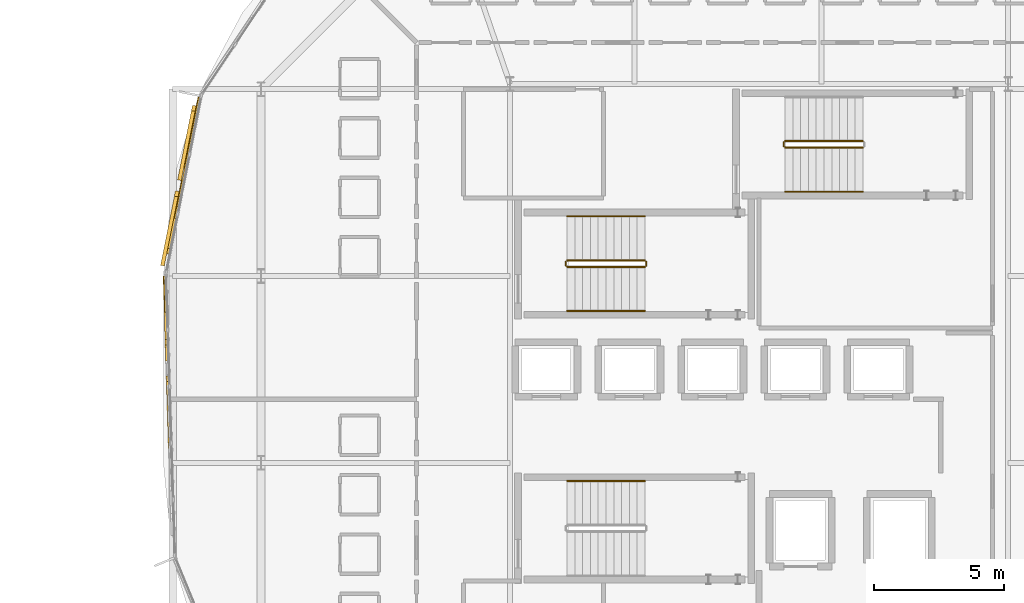
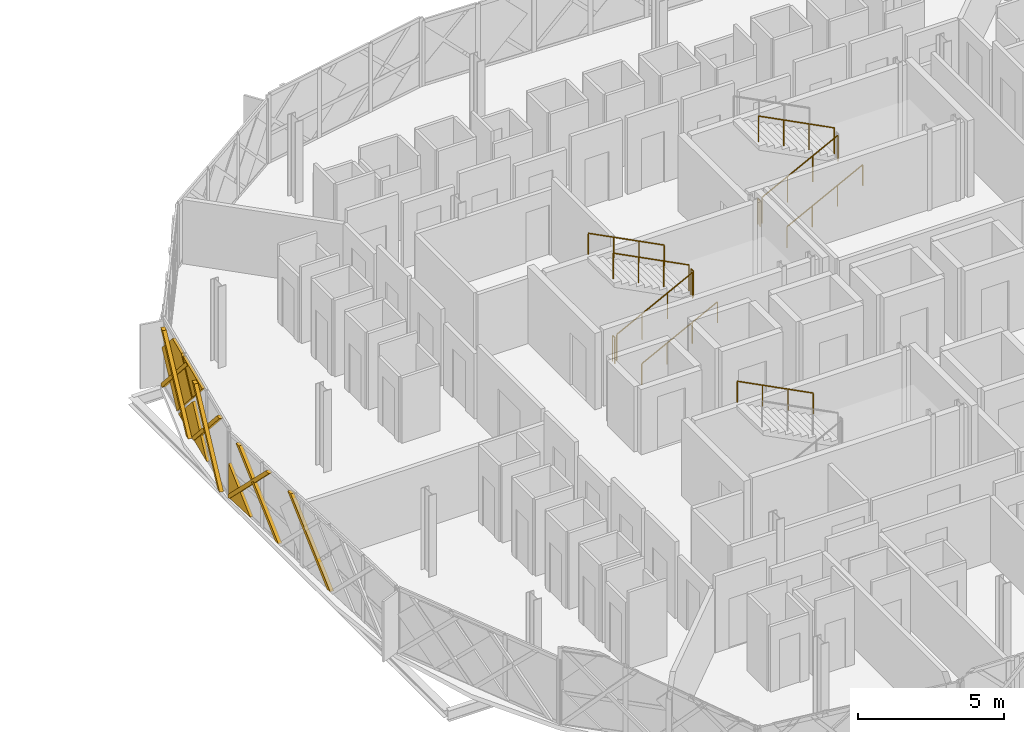
# One storey, part 47 of 50: 11 coverings, 11 railings.
"""IFC4 building model written with IfcOpenShell, lengths in metres."""

from ifc_helpers import new_model, si_unit, direction, frame, origin, origin_2d, place, context, subcontext, project, spatial, polyline, circle, outline, extrude, material, layer, layer_set, type_object, element, save


model = new_model("IFC4")

# Units and contexts
model_context = context("Model", 3, precision=1e-05, world=origin(), true_north=direction((0.0, 1.0)))
body_context = subcontext(model_context, "Body", "Model", "MODEL_VIEW")
ifc_project = project(units=[si_unit("LENGTHUNIT", "METRE"), si_unit("AREAUNIT", "SQUARE_METRE"), si_unit("VOLUMEUNIT", "CUBIC_METRE"), si_unit("PLANEANGLEUNIT", "RADIAN"), si_unit("MASSUNIT", "GRAM", prefix="KILO")], contexts=[model_context])

# Site, building, storey
site_placement = place(None, origin())
site = spatial("IfcSite", under=ifc_project, at=site_placement, CompositionType="ELEMENT")
building_placement = place(site_placement, origin())
building = spatial("IfcBuilding", under=site, at=building_placement, Name="Zevrakil Square Congress Hotel", CompositionType="ELEMENT")
storey_placement = place(building_placement, frame((0.0, 0.0, 21.5)))
storey = spatial("IfcBuildingStorey", under=building, at=storey_placement, Name="L06", CompositionType="ELEMENT", Elevation=21.5)

# Coverings
ifc_material_1 = material(Name="Architectural White Fibre-C GRC", Category="concrete")
ifc_layer_1 = layer(ifc_material_1, 0.06494140625)
ifc_layer_set_1 = layer_set([ifc_layer_1], Name="Architectural White Fibre-C GRC")
covering_type_1 = type_object("IfcCoveringType", Name="COV-DIA-WHITE", PredefinedType="CLADDING", material=ifc_layer_set_1)
covering_1_placement = place(storey_placement, frame((124.158935546875, 34.89892578125, 1.590087890625), z_axis=(-0.980788280172, 0.195074358725, 0.000586553491), x_axis=(-0.138339886369, -0.693414389116, -0.707134047268)))
element("IfcCovering", 1, at=covering_1_placement, inside=storey, type_object=covering_type_1, Name="L06 45-degree white GRC diamond facade cassette 2578", PredefinedType="CLADDING", context=body_context, shape_type="SweptSolid", body=[
    extrude(outline(polyline([(0.0, 0.0), (2.135393948938125, -2.220446049250313e-16), (6.252448376709019e-05, -2.1354968457710672), (0.0, 0.0)])), origin(), (0.0, 0.0, -1.0), 0.1201171875),
])
covering_2_placement = place(storey_placement, frame((124.176513671875, 34.9873046875, 1.679931640625), z_axis=(-0.980787541825, 0.195078034724, 0.000598472805), x_axis=(0.137530592116, 0.693627355482, -0.707083041771)))
element("IfcCovering", 2, at=covering_2_placement, inside=storey, type_object=covering_type_1, Name="L06 45-degree white GRC diamond facade cassette 2579", PredefinedType="CLADDING", context=body_context, shape_type="SweptSolid", body=[
    extrude(outline(polyline([(0.0, 0.0), (2.2484539978122022, 0.0), (2.248705997705661, -2.234400353025926), (2.2345505266545884, -2.248556769494939), (0.6646624309977924, -2.248650411844412), (8.532321482013216e-06, -1.5840409101473396), (0.0, 0.0)])), origin(), (0.0, 0.0, -1.0), 0.1201171875),
])
covering_3_placement = place(storey_placement, frame((124.1591796875, 34.89892578125, 1.77001953125), z_axis=(-0.98078968103, 0.195067643182, 0.000464939408), x_axis=(0.138263265234, 0.693495020046, 0.707069958815)))
element("IfcCovering", 3, at=covering_3_placement, inside=storey, type_object=covering_type_1, Name="L06 45-degree white GRC diamond facade cassette 2580", PredefinedType="CLADDING", context=body_context, shape_type="SweptSolid", body=[
    extrude(outline(polyline([(0.0, 0.0), (1.4567572614764757, 0.0), (-1.669371810353315e-05, -1.4566225597609561), (0.0, 0.0)])), origin(), (0.0, 0.0, -1.0), 0.1201171875),
])
covering_4_placement = place(storey_placement, frame((123.492919921875, 29.792724609375, 0.080078125), z_axis=(-0.99949753867, -0.031688851278, 0.000697779914), x_axis=(-0.031688858993, 0.999497781996, 0.0)))
element("IfcCovering", 4, at=covering_4_placement, inside=storey, type_object=covering_type_1, Name="L06 45-degree white GRC diamond facade cassette 2585", PredefinedType="CLADDING", context=body_context, shape_type="SweptSolid", body=[
    extrude(outline(polyline([(0.0, 0.0), (1.4098877585153653, 0.0), (1.410100830377188, -1.409912452615979), (0.0, 0.0)])), origin(), (0.0, 0.0, -1.0), 0.1201171875),
])
ifc_material_2 = material(Name="Anodised Champagne Aluminium", Category="aluminium")
ifc_layer_2 = layer(ifc_material_2, 0.0849609375)
ifc_layer_set_2 = layer_set([ifc_layer_2], Name="Anodised Champagne Aluminium")
covering_type_2 = type_object("IfcCoveringType", Name="COV-DIAGRID-45", PredefinedType="MOLDING", material=ifc_layer_set_2)
covering_5_placement = place(storey_placement, frame((124.752685546875, 38.01708984375, 0.080078125), z_axis=(-0.980698170069, 0.195524935379, 0.00104826919), x_axis=(0.195525043457, 0.980698708769, 6.31857e-07)))
element("IfcCovering", 5, at=covering_5_placement, inside=storey, type_object=covering_type_2, Name="L06 45-degree aluminium diagrid rib 2581", PredefinedType="MOLDING", context=body_context, shape_type="SweptSolid", body=[
    extrude(outline(polyline([(0.0, 0.0), (0.08589655335052729, -3.3881317890172014e-21), (0.08589663294964113, -0.12597649328413066), (-2.5080462305988624, -2.7199738262558326), (-2.7199148484089006, -2.7199738764468826), (0.0, 0.0)])), origin(), (0.0, 0.0, -1.0), 0.14501953125),
])
covering_6_placement = place(storey_placement, frame((124.097412109375, 34.7216796875, 0.080078125), z_axis=(-0.980801191654, 0.195009738399, 0.00047368667), x_axis=(0.195009760178, 0.98080130171, -2.14264e-07)))
element("IfcCovering", 6, at=covering_6_placement, inside=storey, type_object=covering_type_2, Name="L06 45-degree aluminium diagrid rib 2582", PredefinedType="MOLDING", context=body_context, shape_type="SweptSolid", body=[
    extrude(outline(polyline([(0.0, 0.0), (0.21206039026530105, 3.3881317890172014e-21), (-2.507857862298729, -2.7199704709339345), (-2.7202053158115613, -2.7199703799986534), (0.0, 0.0)])), origin(), (0.0, 0.0, -1.0), 0.14501953125),
])
for number, where, z_axis, x_axis, name in (
    (7, (124.7021484375, 37.75390625, 2.800048828125), (0.980669115747, -0.195673415114, 6.198834e-06), (-0.195673415118, -0.980669115765, 0.0), "L06 45-degree aluminium diagrid rib 2583"),
    (8, (124.046630859375, 34.45849609375, 2.800048828125), (0.980669115747, -0.195673415114, 6.198834e-06), (-0.195673415118, -0.980669115765, 0.0), "L06 45-degree aluminium diagrid rib 2584"),
):
    element("IfcCovering", number, at=place(storey_placement, frame(where, z_axis=z_axis, x_axis=x_axis)), inside=storey, type_object=covering_type_2, Name=name, PredefinedType="MOLDING", context=body_context, shape_type="SweptSolid", body=[
        extrude(outline(polyline([(0.0, 0.0), (0.21210804863334146, 0.0), (2.932166350344723, 2.719970703177258), (2.7200583017113815, 2.719970703177258), (0.0, 0.0)])), origin(), (0.0, 0.0, -1.0), 0.14501953125),
    ])
covering_7_placement = place(storey_placement, frame((123.426025390625, 31.115234375, 0.080078125), z_axis=(-0.999488065977, -0.031993330188, 0.000181086157), x_axis=(-0.031993330685, 0.999488082366, 1.53452e-07)))
element("IfcCovering", 9, at=covering_7_placement, inside=storey, type_object=covering_type_2, Name="L06 45-degree aluminium diagrid rib 2589", PredefinedType="MOLDING", context=body_context, shape_type="SweptSolid", body=[
    extrude(outline(polyline([(0.0, 0.0), (0.08622344231267866, 0.0), (0.08622346164405592, -0.12597656043447444), (-2.357911809004987, -2.5698246272681216), (-2.5699360933684794, -2.5698246693290905), (0.0, 0.0)])), origin(), (0.0, 0.0, -1.0), 0.14501953125),
])
covering_8_placement = place(storey_placement, frame((123.440673828125, 30.697509765625, 2.64990234375), z_axis=(-0.999498879596, -0.03164792077, 0.000631504294), x_axis=(0.031647927317, -0.999499078887, 3.74905e-07)))
element("IfcCovering", 10, at=covering_8_placement, inside=storey, type_object=covering_type_2, Name="L06 45-degree aluminium diagrid rib 2592", PredefinedType="MOLDING", context=body_context, shape_type="SweptSolid", body=[
    extrude(outline(polyline([(0.0, 0.0), (0.21202425352514195, 8.470329472543003e-22), (2.782103009898634, -2.569825774195039), (2.569842464588441, -2.569825615128483), (0.0, 0.0)])), origin(), (0.0, 0.0, -1.0), 0.14501953125),
])
covering_9_placement = place(storey_placement, frame((123.546875, 27.33935546875, 2.64990234375), z_axis=(-0.999498879596, -0.03164792077, 0.000631504294), x_axis=(0.031647927303, -0.999499078888, 3.51487e-07)))
element("IfcCovering", 11, at=covering_9_placement, inside=storey, type_object=covering_type_2, Name="L06 45-degree aluminium diagrid rib 2593", PredefinedType="MOLDING", context=body_context, shape_type="SweptSolid", body=[
    extrude(outline(polyline([(0.0, 0.0), (0.21226827185494845, 8.470329472543003e-22), (2.782103070077985, -2.569825709044648), (2.5700865430975943, -2.5698255599138564), (0.0, 0.0)])), origin(), (0.0, 0.0, -1.0), 0.14501953125),
])

# Railings
ifc_material_3 = material(Name="Steel S355", Category="steel")
railing_type_1 = type_object("IfcRailingType", Name="RLG-STAIR-GUARD-1100", PredefinedType="BALUSTRADE", material=ifc_material_3)
railing_1_placement = place(storey_placement, frame((139.0, 31.550048828125, 0.154541015625)))
element("IfcRailing", 12, at=railing_1_placement, inside=storey, type_object=railing_type_1, Name="L06 ST02 stair guard 1", PredefinedType="BALUSTRADE", context=body_context, shape_type="SweptSolid", body=[
    extrude(circle(Radius=0.02392578125, at=origin_2d()), frame((0.0, 0.0, 1.076171875), z_axis=(0.888979911393, 0.0, 0.45794619459), x_axis=(0.0, 1.0, 0.0)), (0.0, 0.0, 1.0), 3.374755859375),
    extrude(circle(Radius=0.02099609375, at=origin_2d()), origin(), (0.0, 0.0, 1.0), 1.052001953125),
    extrude(circle(Radius=0.02099609375, at=origin_2d()), frame((1.0, 0.0, 0.51513671875)), (0.0, 0.0, 1.0), 1.052001953125),
    extrude(circle(Radius=0.02099609375, at=origin_2d()), frame((2.0, 0.0, 1.0302734375)), (0.0, 0.0, 1.0), 1.052001953125),
    extrude(circle(Radius=0.02099609375, at=origin_2d()), frame((3.0, 0.0, 1.54541015625)), (0.0, 0.0, 1.0), 1.052001953125),
])
railing_2_placement = place(storey_placement, frame((142.050048828125, 31.60009765625, 1.699951171875)))
element("IfcRailing", 13, at=railing_2_placement, inside=storey, type_object=railing_type_1, Name="L06 ST02 stair guard 2", PredefinedType="BALUSTRADE", context=body_context, shape_type="SweptSolid", body=[
    extrude(circle(Radius=0.02392578125, at=origin_2d()), frame((0.0, 0.0, 1.076171875), z_axis=(0.0, 1.0, 0.0), x_axis=(-1.0, 0.0, 0.0)), (0.0, 0.0, 1.0), 0.14990234375),
    extrude(circle(Radius=0.02099609375, at=origin_2d()), origin(), (0.0, 0.0, 1.0), 1.052001953125),
    extrude(circle(Radius=0.02099609375, at=origin_2d()), frame((0.0, 0.14990234375, 0.0)), (0.0, 0.0, 1.0), 1.052001953125),
])
railing_3_placement = place(storey_placement, frame((142.0, 31.800048828125, 1.8544921875)))
element("IfcRailing", 14, at=railing_3_placement, inside=storey, type_object=railing_type_1, Name="L06 ST02 stair guard 3", PredefinedType="BALUSTRADE", context=body_context, shape_type="SweptSolid", body=[
    extrude(circle(Radius=0.02392578125, at=origin_2d()), frame((0.0, 0.0, 1.076171875), z_axis=(-0.888979911393, 0.0, 0.45794619459), x_axis=(0.0, -1.0, 0.0)), (0.0, 0.0, 1.0), 3.374755859375),
    extrude(circle(Radius=0.02099609375, at=origin_2d()), origin(), (0.0, 0.0, 1.0), 1.052001953125),
    extrude(circle(Radius=0.02099609375, at=origin_2d()), frame((-1.0, 0.0, 0.51513671875)), (0.0, 0.0, 1.0), 1.052001953125),
    extrude(circle(Radius=0.02099609375, at=origin_2d()), frame((-2.0, 0.0, 1.0302734375)), (0.0, 0.0, 1.0), 1.052001953125),
    extrude(circle(Radius=0.02099609375, at=origin_2d()), frame((-3.0, 0.0, 1.54541015625)), (0.0, 0.0, 1.0), 1.052001953125),
])
railing_4_placement = place(storey_placement, frame((138.949951171875, 31.60009765625, 0.0)))
element("IfcRailing", 15, at=railing_4_placement, inside=storey, type_object=railing_type_1, Name="L06 ST02 stair guard 4", PredefinedType="BALUSTRADE", context=body_context, shape_type="SweptSolid", body=[
    extrude(circle(Radius=0.02392578125, at=origin_2d()), frame((0.0, 0.0, 1.076171875), z_axis=(0.0, 1.0, 0.0), x_axis=(-1.0, 0.0, 0.0)), (0.0, 0.0, 1.0), 0.14990234375),
    extrude(circle(Radius=0.02099609375, at=origin_2d()), origin(), (0.0, 0.0, 1.0), 1.052001953125),
    extrude(circle(Radius=0.02099609375, at=origin_2d()), frame((0.0, 0.14990234375, 0.0)), (0.0, 0.0, 1.0), 1.052001953125),
])
railing_5_placement = place(storey_placement, frame((147.39990234375, 36.14990234375, 0.154541015625)))
element("IfcRailing", 16, at=railing_5_placement, inside=storey, type_object=railing_type_1, Name="L06 ST03 stair guard 1", PredefinedType="BALUSTRADE", context=body_context, shape_type="SweptSolid", body=[
    extrude(circle(Radius=0.02392578125, at=origin_2d()), frame((0.0, 0.0, 1.076171875), z_axis=(0.888979911393, 0.0, 0.45794619459), x_axis=(0.0, 1.0, 0.0)), (0.0, 0.0, 1.0), 3.374755859375),
    extrude(circle(Radius=0.02099609375, at=origin_2d()), origin(), (0.0, 0.0, 1.0), 1.052001953125),
    extrude(circle(Radius=0.02099609375, at=origin_2d()), frame((1.0, 0.0, 0.51513671875)), (0.0, 0.0, 1.0), 1.052001953125),
    extrude(circle(Radius=0.02099609375, at=origin_2d()), frame((2.0, 0.0, 1.0302734375)), (0.0, 0.0, 1.0), 1.052001953125),
    extrude(circle(Radius=0.02099609375, at=origin_2d()), frame((3.0, 0.0, 1.54541015625)), (0.0, 0.0, 1.0), 1.052001953125),
])
railing_6_placement = place(storey_placement, frame((150.39990234375, 36.39990234375, 1.8544921875)))
element("IfcRailing", 17, at=railing_6_placement, inside=storey, type_object=railing_type_1, Name="L06 ST03 stair guard 3", PredefinedType="BALUSTRADE", context=body_context, shape_type="SweptSolid", body=[
    extrude(circle(Radius=0.02392578125, at=origin_2d()), frame((0.0, 0.0, 1.076171875), z_axis=(-0.888979911393, 0.0, 0.45794619459), x_axis=(0.0, -1.0, 0.0)), (0.0, 0.0, 1.0), 3.374755859375),
    extrude(circle(Radius=0.02099609375, at=origin_2d()), origin(), (0.0, 0.0, 1.0), 1.052001953125),
    extrude(circle(Radius=0.02099609375, at=origin_2d()), frame((-1.0, 0.0, 0.51513671875)), (0.0, 0.0, 1.0), 1.052001953125),
    extrude(circle(Radius=0.02099609375, at=origin_2d()), frame((-2.0, 0.0, 1.0302734375)), (0.0, 0.0, 1.0), 1.052001953125),
    extrude(circle(Radius=0.02099609375, at=origin_2d()), frame((-3.0, 0.0, 1.54541015625)), (0.0, 0.0, 1.0), 1.052001953125),
])
railing_7_placement = place(storey_placement, frame((147.35009765625, 36.199951171875, 0.0)))
element("IfcRailing", 18, at=railing_7_placement, inside=storey, type_object=railing_type_1, Name="L06 ST03 stair guard 4", PredefinedType="BALUSTRADE", context=body_context, shape_type="SweptSolid", body=[
    extrude(circle(Radius=0.02392578125, at=origin_2d()), frame((0.0, 0.0, 1.076171875), z_axis=(0.0, 1.0, 0.0), x_axis=(-1.0, 0.0, 0.0)), (0.0, 0.0, 1.0), 0.150146484375),
    extrude(circle(Radius=0.02099609375, at=origin_2d()), origin(), (0.0, 0.0, 1.0), 1.052001953125),
    extrude(circle(Radius=0.02099609375, at=origin_2d()), frame((0.0, 0.150146484375, 0.0)), (0.0, 0.0, 1.0), 1.052001953125),
])
ifc_material_4 = material(Name="Steel S355", Category="steel")
railing_type_2 = type_object("IfcRailingType", Name="RLG-STAIR-HAND-900", PredefinedType="HANDRAIL", material=ifc_material_4)
railing_8_placement = place(storey_placement, frame((142.0, 23.300048828125, 1.8544921875)))
element("IfcRailing", 19, at=railing_8_placement, inside=storey, type_object=railing_type_2, Name="L06 ST01 stair handrail 2", PredefinedType="HANDRAIL", context=body_context, shape_type="SweptSolid", body=[
    extrude(circle(Radius=0.02392578125, at=origin_2d()), frame((0.0, 0.0, 0.8759765625), z_axis=(-0.888979911393, 0.0, 0.45794619459), x_axis=(0.0, -1.0, 0.0)), (0.0, 0.0, 1.0), 3.374755859375),
    extrude(circle(Radius=0.02099609375, at=origin_2d()), origin(), (0.0, 0.0, 1.0), 0.851806640625),
    extrude(circle(Radius=0.02099609375, at=origin_2d()), frame((-1.0, 0.0, 0.51513671875)), (0.0, 0.0, 1.0), 0.851806640625),
    extrude(circle(Radius=0.02099609375, at=origin_2d()), frame((-2.0, 0.0, 1.0302734375)), (0.0, 0.0, 1.0), 0.851806640625),
    extrude(circle(Radius=0.02099609375, at=origin_2d()), frame((-3.0, 0.0, 1.54541015625)), (0.0, 0.0, 1.0), 0.851806640625),
])
railing_9_placement = place(storey_placement, frame((139.0, 29.85009765625, 0.154541015625)))
element("IfcRailing", 20, at=railing_9_placement, inside=storey, type_object=railing_type_2, Name="L06 ST02 stair handrail 1", PredefinedType="HANDRAIL", context=body_context, shape_type="SweptSolid", body=[
    extrude(circle(Radius=0.02392578125, at=origin_2d()), frame((0.0, 0.0, 0.8759765625), z_axis=(0.888979911393, 0.0, 0.45794619459), x_axis=(0.0, 1.0, 0.0)), (0.0, 0.0, 1.0), 3.374755859375),
    extrude(circle(Radius=0.02099609375, at=origin_2d()), origin(), (0.0, 0.0, 1.0), 0.851806640625),
    extrude(circle(Radius=0.02099609375, at=origin_2d()), frame((1.0, 0.0, 0.51513671875)), (0.0, 0.0, 1.0), 0.851806640625),
    extrude(circle(Radius=0.02099609375, at=origin_2d()), frame((2.0, 0.0, 1.0302734375)), (0.0, 0.0, 1.0), 0.851806640625),
    extrude(circle(Radius=0.02099609375, at=origin_2d()), frame((3.0, 0.0, 1.54541015625)), (0.0, 0.0, 1.0), 0.851806640625),
])
railing_10_placement = place(storey_placement, frame((142.0, 33.5, 1.8544921875)))
element("IfcRailing", 21, at=railing_10_placement, inside=storey, type_object=railing_type_2, Name="L06 ST02 stair handrail 2", PredefinedType="HANDRAIL", context=body_context, shape_type="SweptSolid", body=[
    extrude(circle(Radius=0.02392578125, at=origin_2d()), frame((0.0, 0.0, 0.8759765625), z_axis=(-0.888979911393, 0.0, 0.45794619459), x_axis=(0.0, -1.0, 0.0)), (0.0, 0.0, 1.0), 3.374755859375),
    extrude(circle(Radius=0.02099609375, at=origin_2d()), origin(), (0.0, 0.0, 1.0), 0.851806640625),
    extrude(circle(Radius=0.02099609375, at=origin_2d()), frame((-1.0, 0.0, 0.51513671875)), (0.0, 0.0, 1.0), 0.851806640625),
    extrude(circle(Radius=0.02099609375, at=origin_2d()), frame((-2.0, 0.0, 1.0302734375)), (0.0, 0.0, 1.0), 0.851806640625),
    extrude(circle(Radius=0.02099609375, at=origin_2d()), frame((-3.0, 0.0, 1.54541015625)), (0.0, 0.0, 1.0), 0.851806640625),
])
railing_11_placement = place(storey_placement, frame((147.39990234375, 34.449951171875, 0.154541015625)))
element("IfcRailing", 22, at=railing_11_placement, inside=storey, type_object=railing_type_2, Name="L06 ST03 stair handrail 1", PredefinedType="HANDRAIL", context=body_context, shape_type="SweptSolid", body=[
    extrude(circle(Radius=0.02392578125, at=origin_2d()), frame((0.0, 0.0, 0.8759765625), z_axis=(0.888979911393, 0.0, 0.45794619459), x_axis=(0.0, 1.0, 0.0)), (0.0, 0.0, 1.0), 3.374755859375),
    extrude(circle(Radius=0.02099609375, at=origin_2d()), origin(), (0.0, 0.0, 1.0), 0.851806640625),
    extrude(circle(Radius=0.02099609375, at=origin_2d()), frame((1.0, 0.0, 0.51513671875)), (0.0, 0.0, 1.0), 0.851806640625),
    extrude(circle(Radius=0.02099609375, at=origin_2d()), frame((2.0, 0.0, 1.0302734375)), (0.0, 0.0, 1.0), 0.851806640625),
    extrude(circle(Radius=0.02099609375, at=origin_2d()), frame((3.0, 0.0, 1.54541015625)), (0.0, 0.0, 1.0), 0.851806640625),
])

save(model, "model.ifc")
